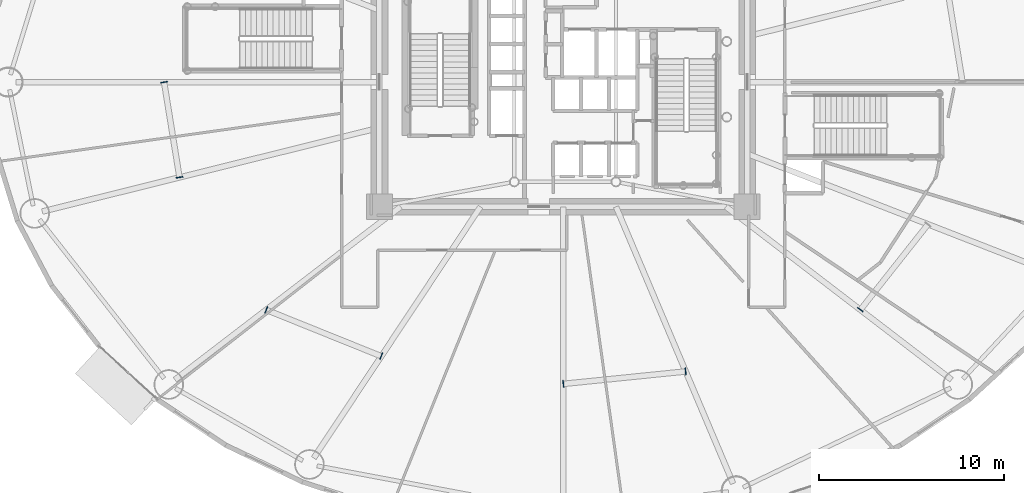
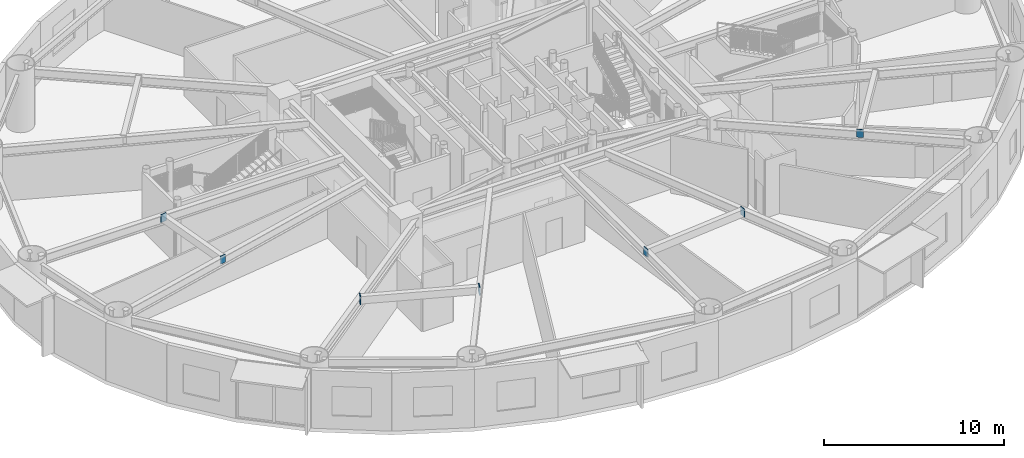
# One storey, part 16 of 35: 7 plates.
"""IFC4 building model written with IfcOpenShell, lengths in metres."""

from ifc_helpers import new_model, si_unit, direction, frame, origin, origin_2d, place, context, subcontext, project, spatial, rectangle, extrude, source, transform, mapped, material, layer, layer_set, type_object, element, save


model = new_model("IFC4")

# Units and contexts
model_context = context("Model", 3, precision=1e-05, world=origin(), true_north=direction((0.0, 1.0)))
body_context = subcontext(model_context, "Body", "Model", "MODEL_VIEW")
ifc_project = project(units=[si_unit("LENGTHUNIT", "METRE"), si_unit("AREAUNIT", "SQUARE_METRE"), si_unit("VOLUMEUNIT", "CUBIC_METRE"), si_unit("PLANEANGLEUNIT", "RADIAN"), si_unit("MASSUNIT", "GRAM", prefix="KILO")], contexts=[model_context])

# Site, building, storey
site_placement = place(None, origin())
site = spatial("IfcSite", under=ifc_project, at=site_placement, CompositionType="ELEMENT")
building_placement = place(site_placement, origin())
building = spatial("IfcBuilding", under=site, at=building_placement, Name="Linh Dai School and Residence Tower", CompositionType="ELEMENT")
storey_placement = place(building_placement, frame((0.0, 0.0, 49.199951171875)))
storey = spatial("IfcBuildingStorey", under=building, at=storey_placement, Name="L11", CompositionType="ELEMENT", Elevation=49.199951171875)

# Plates
ifc_material = material(Name="Structural Steel S355JR", Category="steel")
ifc_layer = layer(ifc_material, 0.0400390625)
ifc_layer_set = layer_set([ifc_layer], Name="Structural Steel S355JR")
plate_type = type_object("IfcPlateType", Name="PLT-GP1", PredefinedType="USERDEFINED", material=ifc_layer_set)
shared_shape = source(origin(), body_context, "Body", "SweptSolid", [
    extrude(rectangle(XDim=0.0400390625, YDim=0.3798828125, at=origin_2d()), origin(), (0.0, 0.0, 1.0), 0.5400390625),
])
for number, where, z_axis, x_axis, name in (
    (1, (14.392822265625, 26.9951171875, 3.429931640625), (0.0, 0.0, 1.0), (0.159659022119, -0.987172222389, 0.0), "L11 Secondary Beam End Plate 05A"),
    (2, (15.225830078125, 21.84375, 3.429931640625), (0.0, 0.0, 1.0), (0.159659022119, -0.987172222389, 0.0), "L11 Secondary Beam End Plate 05B"),
    (3, (19.921875, 14.6689453125, 3.429931640625), (0.0, 0.0, 1.0), (0.927536459105, -0.373732681245, 0.0), "L11 Secondary Beam End Plate 06A"),
    (4, (26.1455078125, 12.161376953125, 3.429931640625), (0.0, 0.0, 1.0), (0.927536459105, -0.373732681245, 0.0), "L11 Secondary Beam End Plate 06B"),
    (5, (36.0048828125, 10.6630859375, 3.429931640625), (0.0, 0.0, 1.0), (0.994884100574, 0.101022900497, 0.0), "L11 Secondary Beam End Plate 07A"),
    (6, (42.621826171875, 11.3349609375, 3.429931640625), (0.0, 0.0, 1.0), (0.994884100574, 0.101022900497, 0.0), "L11 Secondary Beam End Plate 07B"),
    (7, (52.085693359375, 14.6748046875, 3.429931640625), (0.0, 0.0, 1.0), (0.620177637481, 0.784461406297, 0.0), "L11 Secondary Beam End Plate 08A"),
):
    element("IfcPlate", number, at=place(storey_placement, frame(where, z_axis=z_axis, x_axis=x_axis)), inside=storey, type_object=plate_type, Name=name, ObjectType="GUSSET PLATE", PredefinedType="USERDEFINED", context=body_context, shape_type="MappedRepresentation", body=[
        mapped(shared_shape, transform((0.0, 0.0, 0.0), x_axis=(1.0, 0.0, 0.0), y_axis=(0.0, 1.0, 0.0), z_axis=(0.0, 0.0, 1.0), scale=1.0)),
    ])

save(model, "model.ifc")
